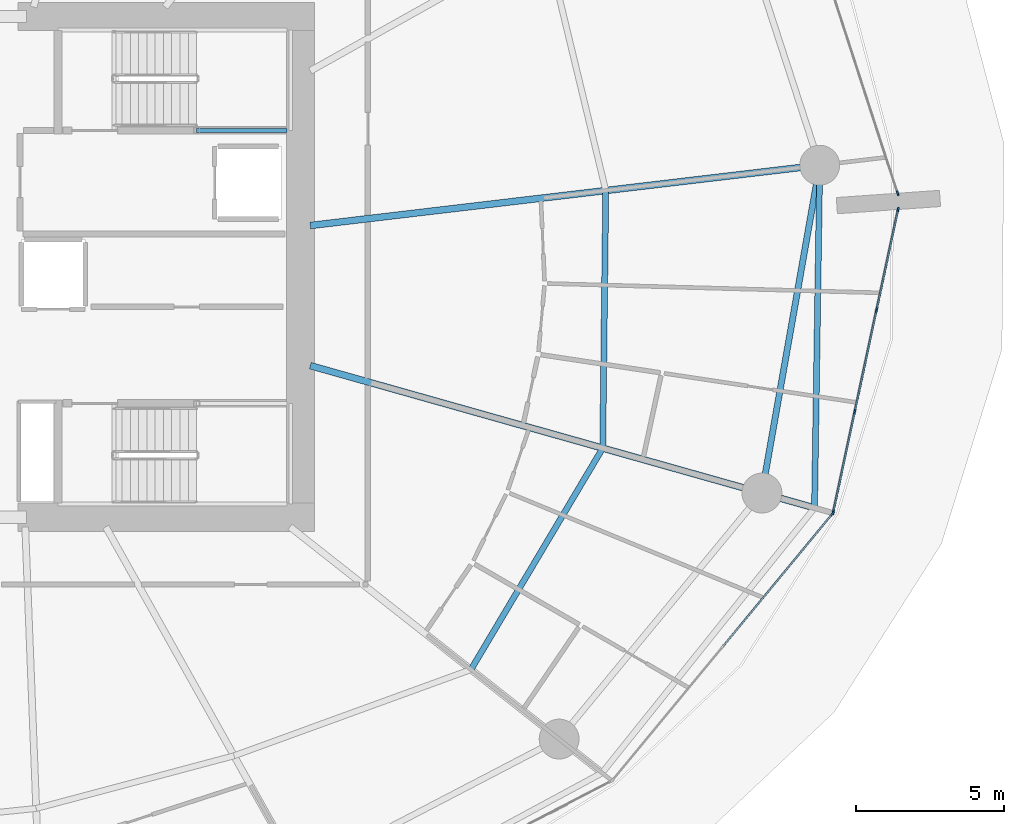
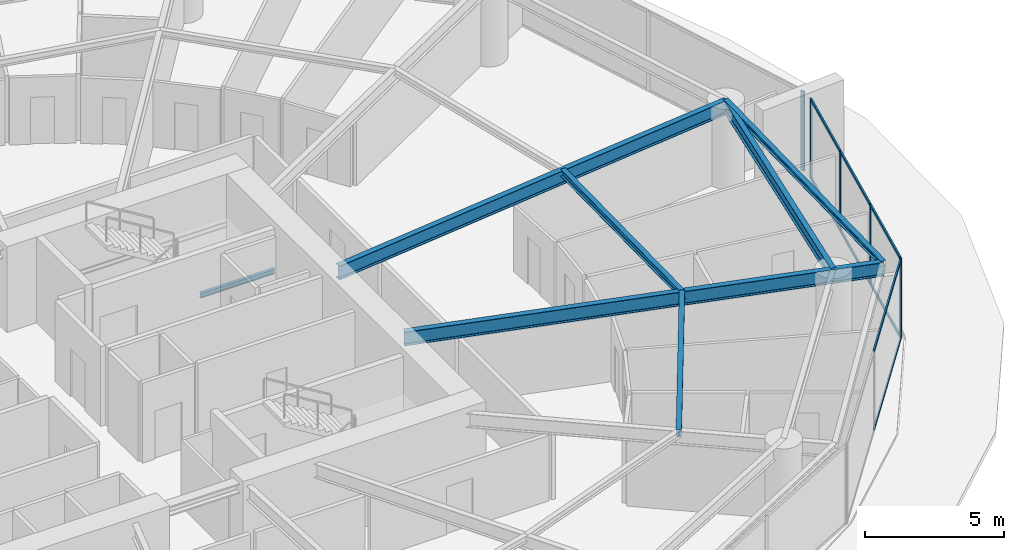
# One storey, part 10 of 22: 14 members, 7 beams, 3 elements without a shape of their own.
"""IFC4 building model written with IfcOpenShell, lengths in metres."""

from ifc_helpers import new_model, si_unit, direction, frame, origin, origin_2d, place, context, subcontext, project, spatial, rectangle, i_section, extrude, material, layer, layer_set, material_profile, profile_set, type_object, element, aggregate, save


model = new_model("IFC4")

# Units and contexts
model_context = context("Model", 3, precision=1e-05, world=origin(), true_north=direction((0.0, 1.0)))
body_context = subcontext(model_context, "Body", "Model", "MODEL_VIEW")
ifc_project = project(units=[si_unit("LENGTHUNIT", "METRE"), si_unit("AREAUNIT", "SQUARE_METRE"), si_unit("VOLUMEUNIT", "CUBIC_METRE"), si_unit("PLANEANGLEUNIT", "RADIAN"), si_unit("MASSUNIT", "GRAM", prefix="KILO")], contexts=[model_context])

# Site, building, storey
site_placement = place(None, origin())
site = spatial("IfcSite", under=ifc_project, at=site_placement, CompositionType="ELEMENT")
building_placement = place(site_placement, origin())
building = spatial("IfcBuilding", under=site, at=building_placement, Name="Kazma Halo Residences", CompositionType="ELEMENT")
storey_placement = place(building_placement, frame((0.0, 0.0, 26.39990234375)))
storey = spatial("IfcBuildingStorey", under=building, at=storey_placement, Name="L05", CompositionType="ELEMENT", Elevation=26.39990234375)

# Beams
ifc_material_1 = material(Name="Steel S355", Category="steel")
ifc_material_profile_1 = material_profile(ifc_material_1, i_section(OverallWidth=0.201904296875, OverallDepth=0.2470703125, WebThickness=0.00732421875, FlangeThickness=0.010986328125, FilletRadius=0.011962890625, at=origin_2d()), Name="W250x49.1")
ifc_profile_set_1 = profile_set([ifc_material_profile_1], Name="Steel S355")
beam_type_1 = type_object("IfcBeamType", Name="BM-BAL-CANT", PredefinedType="BEAM", material=ifc_profile_set_1)
beam_1_placement = place(storey_placement, frame((76.92138671875, 33.84326171875, 3.376708984375), z_axis=(0.015213846033, 0.999884262747, 0.0), x_axis=(-0.999884262747, 0.015213846033, 0.0)))
element("IfcBeam", 1, at=beam_1_placement, inside=storey, type_object=beam_type_1, Name="L05 wave-balcony tie beam 15", PredefinedType="BEAM", context=body_context, shape_type="SweptSolid", body=[
    extrude(i_section(OverallWidth=0.201904296875, OverallDepth=0.2470703125, WebThickness=0.00732421875, FlangeThickness=0.010986328125, FilletRadius=0.011962890625, at=origin_2d()), origin(), (0.0, 0.0, 1.0), 11.602294921875),
])
ifc_material_profile_2 = material_profile(ifc_material_1, i_section(OverallWidth=0.22802734375, OverallDepth=0.60791015625, WebThickness=0.01123046875, FlangeThickness=0.017333984375, FilletRadius=0.01806640625, at=origin_2d()), Name="W610x113")
ifc_profile_set_2 = profile_set([ifc_material_profile_2], Name="Steel S355")
beam_type_2 = type_object("IfcBeamType", Name="BM-RAD-W610", PredefinedType="BEAM", material=ifc_profile_set_2)
beam_2_placement = place(storey_placement, frame((59.85009765625, 38.657958984375, 3.196044921875), z_axis=(0.962453825278, -0.271445453468, 0.0), x_axis=(0.271445453468, 0.962453825278, 0.0)))
element("IfcBeam", 2, at=beam_2_placement, inside=storey, type_object=beam_type_2, Name="L05 radial floor beam 15", PredefinedType="BEAM", context=body_context, shape_type="SweptSolid", body=[
    extrude(i_section(OverallWidth=0.22802734375, OverallDepth=0.60791015625, WebThickness=0.01123046875, FlangeThickness=0.017333984375, FilletRadius=0.01806640625, at=origin_2d()), origin(), (0.0, 0.0, 1.0), 17.7373046875),
])
beam_3_placement = place(storey_placement, frame((59.85009765625, 43.402587890625, 3.196044921875), z_axis=(0.993067839154, 0.117542617111, 0.0), x_axis=(-0.117542617111, 0.993067839154, 0.0)))
element("IfcBeam", 3, at=beam_3_placement, inside=storey, type_object=beam_type_2, Name="L05 radial floor beam 16", PredefinedType="BEAM", context=body_context, shape_type="SweptSolid", body=[
    extrude(i_section(OverallWidth=0.22802734375, OverallDepth=0.60791015625, WebThickness=0.01123046875, FlangeThickness=0.017333984375, FilletRadius=0.01806640625, at=origin_2d()), origin(), (0.0, 0.0, 1.0), 17.3681640625),
])
ifc_material_profile_3 = material_profile(ifc_material_1, i_section(OverallWidth=0.202880859375, OverallDepth=0.302978515625, WebThickness=0.007568359375, FlangeThickness=0.01318359375, FilletRadius=0.013916015625, at=origin_2d()), Name="W310x60")
ifc_profile_set_3 = profile_set([ifc_material_profile_3], Name="Steel S355")
beam_type_3 = type_object("IfcBeamType", Name="BM-SEC-W310A", PredefinedType="JOIST", material=ifc_profile_set_3)
beam_4_placement = place(storey_placement, frame((65.291015625, 28.368896484375, 3.3486328125), z_axis=(0.511331320511, 0.859383663252, 0.0), x_axis=(-0.859383663252, 0.511331320511, 0.0)))
element("IfcBeam", 4, at=beam_4_placement, inside=storey, type_object=beam_type_3, Name="L05 circumferential floor joist 14", PredefinedType="JOIST", context=body_context, shape_type="SweptSolid", body=[
    extrude(i_section(OverallWidth=0.202880859375, OverallDepth=0.302978515625, WebThickness=0.007568359375, FlangeThickness=0.01318359375, FilletRadius=0.013916015625, at=origin_2d()), origin(), (0.0, 0.0, 1.0), 8.72314453125),
])
beam_5_placement = place(storey_placement, frame((69.75146484375, 35.865478515625, 3.3486328125), z_axis=(0.011728659646, 0.999931216906, 0.0), x_axis=(-0.999931216906, 0.011728659646, 0.0)))
element("IfcBeam", 5, at=beam_5_placement, inside=storey, type_object=beam_type_3, Name="L05 circumferential floor joist 15", PredefinedType="JOIST", context=body_context, shape_type="SweptSolid", body=[
    extrude(i_section(OverallWidth=0.202880859375, OverallDepth=0.302978515625, WebThickness=0.007568359375, FlangeThickness=0.01318359375, FilletRadius=0.013916015625, at=origin_2d()), origin(), (0.0, 0.0, 1.0), 8.7216796875),
])
ifc_material_profile_4 = material_profile(ifc_material_1, i_section(OverallWidth=0.208984375, OverallDepth=0.532958984375, WebThickness=0.01025390625, FlangeThickness=0.015625, FilletRadius=0.01611328125, at=origin_2d()), Name="W530x92")
ifc_profile_set_4 = profile_set([ifc_material_profile_4], Name="Steel S355")
beam_type_4 = type_object("IfcBeamType", Name="BM-SPN-W530", PredefinedType="BEAM", material=ifc_profile_set_4)
beam_6_placement = place(storey_placement, frame((75.140869140625, 34.345458984375, 3.233642578125), z_axis=(0.173651864005, 0.984807103004, 0.0), x_axis=(-0.984807103004, 0.173651864005, 0.0)))
element("IfcBeam", 6, at=beam_6_placement, inside=storey, type_object=beam_type_4, Name="L05 perimeter ring beam 15", PredefinedType="BEAM", context=body_context, shape_type="SweptSolid", body=[
    extrude(i_section(OverallWidth=0.208984375, OverallDepth=0.532958984375, WebThickness=0.01025390625, FlangeThickness=0.015625, FilletRadius=0.01611328125, at=origin_2d()), origin(), (0.0, 0.0, 1.0), 11.269775390625),
])
ifc_material_profile_5 = material_profile(ifc_material_1, i_section(OverallWidth=0.133056640625, OverallDepth=0.20703125, WebThickness=0.005859375, FlangeThickness=0.00830078125, FilletRadius=0.010009765625, at=origin_2d()), Name="W200x26.6")
ifc_profile_set_5 = profile_set([ifc_material_profile_5], Name="Steel S355")
beam_type_5 = type_object("IfcBeamType", Name="BM-TRIM-W200", PredefinedType="BEAM", material=ifc_profile_set_5)
beam_7_placement = place(storey_placement, frame((56.0, 46.6201171875, 1.570068359375), z_axis=(1.0, 0.0, 0.0), x_axis=(0.0, 1.0, 0.0)))
element("IfcBeam", 7, at=beam_7_placement, inside=storey, type_object=beam_type_5, Name="L05 ST-02 landing south wall ledger", PredefinedType="BEAM", context=body_context, shape_type="SweptSolid", body=[
    extrude(i_section(OverallWidth=0.133056640625, OverallDepth=0.20703125, WebThickness=0.005859375, FlangeThickness=0.00830078125, FilletRadius=0.010009765625, at=origin_2d()), origin(), (0.0, 0.0, 1.0), 3.070068359375),
])

# Curtain wall, member
ifc_material_2 = material(Name="Aluminium AW-6063 T6 and Triple-Silver Low-E Glass", Category="aluminium")
ifc_layer = layer(ifc_material_2, 0.159912109375)
ifc_layer_set = layer_set([ifc_layer], Name="Aluminium AW-6063 T6 and Triple-Silver Low-E Glass")
curtain_wall_type = type_object("IfcCurtainWallType", Name="CW-SYS-2", PredefinedType="NOTDEFINED", material=ifc_layer_set)
curtain_wall_1_placement = place(storey_placement, origin())
curtain_wall_1 = element("IfcCurtainWall", 8, at=curtain_wall_1_placement, inside=storey, type_object=curtain_wall_type, Name="L05 unitised curtain wall B14", PredefinedType="NOTDEFINED")
ifc_material_3 = material(Name="Aluminium AW-6063 T6", Category="aluminium")
ifc_material_profile_6 = material_profile(ifc_material_3, rectangle(XDim=0.06005859375, YDim=0.159912109375, at=origin_2d()), Name="CWM-60x160")
ifc_profile_set_6 = profile_set([ifc_material_profile_6], Name="Aluminium AW-6063 T6")
member_type_1 = type_object("IfcMemberType", Name="CW-SYS-2-MUL", PredefinedType="MULLION", material=ifc_profile_set_6)
member_1_placement = place(storey_placement, frame((77.527587890625, 33.643798828125, 0.0), z_axis=(0.0, 0.0, 1.0), x_axis=(-0.771135218369, 0.63667140268, 0.0)))
member_1 = element("IfcMember", 9, at=member_1_placement, type_object=member_type_1, Name="CWS-2 mullion 3", PredefinedType="MULLION", context=body_context, shape_type="SweptSolid", body=[
    extrude(rectangle(XDim=0.06005859375, YDim=0.159912109375, at=origin_2d()), origin(), (0.0, 0.0, 1.0), 3.5),
])

# Curtain wall, members
curtain_wall_2_placement = place(storey_placement, origin())
curtain_wall_2 = element("IfcCurtainWall", 10, at=curtain_wall_2_placement, inside=storey, type_object=curtain_wall_type, Name="L05 unitised curtain wall B15", PredefinedType="NOTDEFINED")
member_2_placement = place(storey_placement, frame((77.552978515625, 33.6962890625, 0.0), z_axis=(0.0, 0.0, 1.0), x_axis=(-0.977779215096, 0.209637321406, 0.0)))
member_2 = element("IfcMember", 11, at=member_2_placement, type_object=member_type_1, Name="CWS-2 mullion 1", PredefinedType="MULLION", context=body_context, shape_type="SweptSolid", body=[
    extrude(rectangle(XDim=0.06005859375, YDim=0.159912109375, at=origin_2d()), origin(), (0.0, 0.0, 1.0), 3.5),
])
member_3_placement = place(storey_placement, frame((78.282958984375, 37.101318359375, 0.0), z_axis=(0.0, 0.0, 1.0), x_axis=(-0.977779215096, 0.209637321406, 0.0)))
member_3 = element("IfcMember", 12, at=member_3_placement, type_object=member_type_1, Name="CWS-2 mullion 2", PredefinedType="MULLION", context=body_context, shape_type="SweptSolid", body=[
    extrude(rectangle(XDim=0.06005859375, YDim=0.159912109375, at=origin_2d()), origin(), (0.0, 0.0, 1.0), 3.5),
])
member_4_placement = place(storey_placement, frame((79.019287109375, 40.53564453125, 0.0), z_axis=(0.0, 0.0, 1.0), x_axis=(-0.977779215096, 0.209637321406, 0.0)))
member_4 = element("IfcMember", 13, at=member_4_placement, type_object=member_type_1, Name="CWS-2 mullion 3", PredefinedType="MULLION", context=body_context, shape_type="SweptSolid", body=[
    extrude(rectangle(XDim=0.06005859375, YDim=0.159912109375, at=origin_2d()), origin(), (0.0, 0.0, 1.0), 3.5),
])
member_5_placement = place(storey_placement, frame((79.74951171875, 43.940673828125, 0.0), z_axis=(0.0, 0.0, 1.0), x_axis=(-0.977779215096, 0.209637321406, 0.0)))
member_5 = element("IfcMember", 14, at=member_5_placement, type_object=member_type_1, Name="CWS-2 mullion 4", PredefinedType="MULLION", context=body_context, shape_type="SweptSolid", body=[
    extrude(rectangle(XDim=0.06005859375, YDim=0.159912109375, at=origin_2d()), origin(), (0.0, 0.0, 1.0), 3.5),
])

# Curtain wall, member
curtain_wall_3_placement = place(storey_placement, origin())
curtain_wall_3 = element("IfcCurtainWall", 15, at=curtain_wall_3_placement, inside=storey, type_object=curtain_wall_type, Name="L05 unitised curtain wall B16", PredefinedType="NOTDEFINED")
member_6_placement = place(storey_placement, frame((79.73828125, 44.499267578125, 0.0), z_axis=(0.0, 0.0, 1.0), x_axis=(-0.95105652404, -0.309016970539, 0.0)))
member_6 = element("IfcMember", 16, at=member_6_placement, type_object=member_type_1, Name="CWS-2 mullion 1", PredefinedType="MULLION", context=body_context, shape_type="SweptSolid", body=[
    extrude(rectangle(XDim=0.06005859375, YDim=0.159912109375, at=origin_2d()), origin(), (0.0, 0.0, 1.0), 3.5),
])
aggregate(curtain_wall_3, [member_6])

# Member
ifc_material_profile_7 = material_profile(ifc_material_3, rectangle(XDim=0.06005859375, YDim=0.1201171875, at=origin_2d()), Name="CWT-60x120")
ifc_profile_set_7 = profile_set([ifc_material_profile_7], Name="Aluminium AW-6063 T6")
member_type_2 = type_object("IfcMemberType", Name="CW-SYS-2-TRN", PredefinedType="USERDEFINED", material=ifc_profile_set_7)
member_7_placement = place(storey_placement, frame((73.824951171875, 29.1591796875, 0.030029296875), z_axis=(0.63666223602, 0.771142786536, 0.0), x_axis=(-0.771142786536, 0.63666223602, 0.0)))
member_7 = element("IfcMember", 17, at=member_7_placement, type_object=member_type_2, Name="CWS-2 transom 2.1", ObjectType="TRANSOM", PredefinedType="USERDEFINED", context=body_context, shape_type="SweptSolid", body=[
    extrude(rectangle(XDim=0.06005859375, YDim=0.1201171875, at=origin_2d()), origin(), (0.0, 0.0, 1.0), 5.785888671875),
])

member_8_placement = place(storey_placement, frame((73.824951171875, 29.1591796875, 3.47021484375), z_axis=(0.63666223602, 0.771142786536, 0.0), x_axis=(-0.771142786536, 0.63666223602, 0.0)))
member_8 = element("IfcMember", 18, at=member_8_placement, type_object=member_type_2, Name="CWS-2 transom 2.2", ObjectType="TRANSOM", PredefinedType="USERDEFINED", context=body_context, shape_type="SweptSolid", body=[
    extrude(rectangle(XDim=0.06005859375, YDim=0.1201171875, at=origin_2d()), origin(), (0.0, 0.0, 1.0), 5.785888671875),
])

aggregate(curtain_wall_1, [member_1, member_7, member_8])

member_9_placement = place(storey_placement, frame((77.559326171875, 33.7255859375, 0.030029296875), z_axis=(0.209650877007, 0.977776308657, 0.0), x_axis=(-0.977776308657, 0.209650877007, 0.0)))
member_9 = element("IfcMember", 19, at=member_9_placement, type_object=member_type_2, Name="CWS-2 transom 1.1", ObjectType="TRANSOM", PredefinedType="USERDEFINED", context=body_context, shape_type="SweptSolid", body=[
    extrude(rectangle(XDim=0.06005859375, YDim=0.1201171875, at=origin_2d()), origin(), (0.0, 0.0, 1.0), 3.422607421875),
])

member_10_placement = place(storey_placement, frame((77.559326171875, 33.7255859375, 3.47021484375), z_axis=(0.209650877007, 0.977776308657, 0.0), x_axis=(-0.977776308657, 0.209650877007, 0.0)))
member_10 = element("IfcMember", 20, at=member_10_placement, type_object=member_type_2, Name="CWS-2 transom 1.2", ObjectType="TRANSOM", PredefinedType="USERDEFINED", context=body_context, shape_type="SweptSolid", body=[
    extrude(rectangle(XDim=0.06005859375, YDim=0.1201171875, at=origin_2d()), origin(), (0.0, 0.0, 1.0), 3.422607421875),
])

member_11_placement = place(storey_placement, frame((78.289306640625, 37.130615234375, 0.030029296875), z_axis=(0.209669136217, 0.977772393412, 0.0), x_axis=(-0.977772393412, 0.209669136217, 0.0)))
member_11 = element("IfcMember", 21, at=member_11_placement, type_object=member_type_2, Name="CWS-2 transom 2.1", ObjectType="TRANSOM", PredefinedType="USERDEFINED", context=body_context, shape_type="SweptSolid", body=[
    extrude(rectangle(XDim=0.06005859375, YDim=0.1201171875, at=origin_2d()), origin(), (0.0, 0.0, 1.0), 3.452392578125),
])

member_12_placement = place(storey_placement, frame((78.289306640625, 37.130615234375, 3.47021484375), z_axis=(0.209669136217, 0.977772393412, 0.0), x_axis=(-0.977772393412, 0.209669136217, 0.0)))
member_12 = element("IfcMember", 22, at=member_12_placement, type_object=member_type_2, Name="CWS-2 transom 2.2", ObjectType="TRANSOM", PredefinedType="USERDEFINED", context=body_context, shape_type="SweptSolid", body=[
    extrude(rectangle(XDim=0.06005859375, YDim=0.1201171875, at=origin_2d()), origin(), (0.0, 0.0, 1.0), 3.452392578125),
])

member_13_placement = place(storey_placement, frame((79.025634765625, 40.565185546875, 0.030029296875), z_axis=(0.209665500897, 0.977773172946, 0.0), x_axis=(-0.977773172946, 0.209665500897, 0.0)))
member_13 = element("IfcMember", 23, at=member_13_placement, type_object=member_type_2, Name="CWS-2 transom 3.1", ObjectType="TRANSOM", PredefinedType="USERDEFINED", context=body_context, shape_type="SweptSolid", body=[
    extrude(rectangle(XDim=0.06005859375, YDim=0.1201171875, at=origin_2d()), origin(), (0.0, 0.0, 1.0), 3.42236328125),
])

member_14_placement = place(storey_placement, frame((79.025634765625, 40.565185546875, 3.47021484375), z_axis=(0.209665500897, 0.977773172946, 0.0), x_axis=(-0.977773172946, 0.209665500897, 0.0)))
member_14 = element("IfcMember", 24, at=member_14_placement, type_object=member_type_2, Name="CWS-2 transom 3.2", ObjectType="TRANSOM", PredefinedType="USERDEFINED", context=body_context, shape_type="SweptSolid", body=[
    extrude(rectangle(XDim=0.06005859375, YDim=0.1201171875, at=origin_2d()), origin(), (0.0, 0.0, 1.0), 3.42236328125),
])

aggregate(curtain_wall_2, [member_2, member_3, member_4, member_5, member_9, member_10, member_11, member_12, member_13, member_14])

save(model, "model.ifc")
